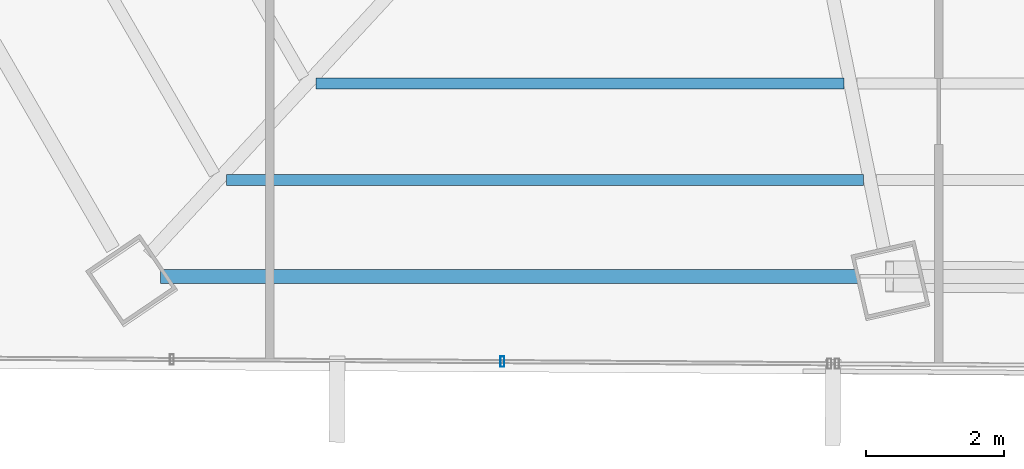
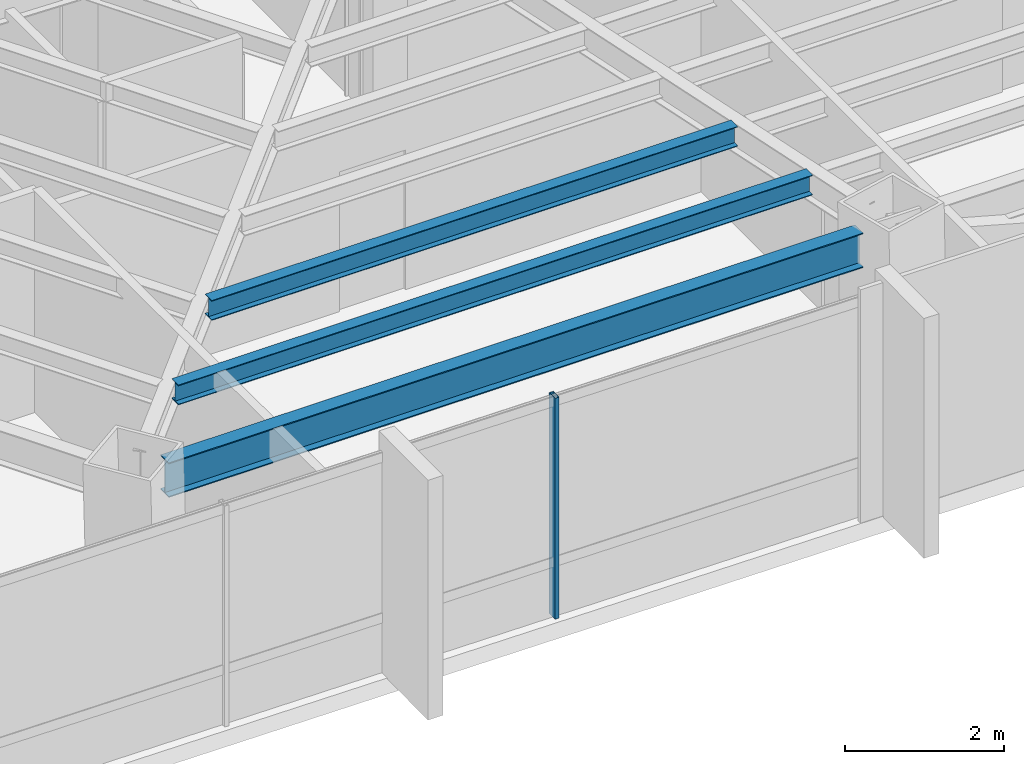
# One storey, part 4 of 41: 3 beams, 1 member, 1 element without a shape of its own.
"""IFC4 building model written with IfcOpenShell, lengths in metres."""

from ifc_helpers import new_model, si_unit, direction, frame, origin, origin_2d, place, context, subcontext, project, spatial, hollow_rectangle, i_section, extrude, source, transform, mapped, material, material_profile, profile_set, type_object, type_shapes, element, aggregate, save


model = new_model("IFC4")

# Units and contexts
model_context = context("Model", 3, precision=1e-05, world=origin(), true_north=direction((0.0, 1.0)))
body_context = subcontext(model_context, "Body", "Model", "MODEL_VIEW")
ifc_project = project(units=[si_unit("LENGTHUNIT", "METRE"), si_unit("AREAUNIT", "SQUARE_METRE"), si_unit("VOLUMEUNIT", "CUBIC_METRE"), si_unit("PLANEANGLEUNIT", "RADIAN"), si_unit("MASSUNIT", "GRAM", prefix="KILO")], contexts=[model_context])

# Site, building, storey
site_placement = place(None, origin())
site = spatial("IfcSite", under=ifc_project, at=site_placement, CompositionType="ELEMENT")
building_placement = place(site_placement, origin())
building = spatial("IfcBuilding", under=site, at=building_placement, Name="Caelisora Broadcast Tower", CompositionType="ELEMENT")
storey_placement = place(building_placement, frame((0.0, 0.0, 165.800048828125)))
storey = spatial("IfcBuildingStorey", under=building, at=storey_placement, Name="L43", CompositionType="ELEMENT", Elevation=165.800048828125)

# Beams
ifc_material_1 = material(Name="Steel Grade 350 (AS/NZS 3679.1)", Category="steel")
ifc_material_profile_1 = material_profile(ifc_material_1, i_section(OverallWidth=0.208984375, OverallDepth=0.532958984375, WebThickness=0.01025390625, FlangeThickness=0.015625, at=origin_2d()), Name="Steel Grade 350 (AS/NZS 3679.1)")
ifc_profile_set_1 = profile_set([ifc_material_profile_1], Name="Steel Grade 350 (AS/NZS 3679.1)")
beam_type_1 = type_object("IfcBeamType", Name="PG05", PredefinedType="BEAM", material=ifc_profile_set_1)
shared_shape_1 = source(origin(), body_context, "Body", "SweptSolid", [
    extrude(i_section(OverallWidth=0.208984375, OverallDepth=0.532958984375, WebThickness=0.01025390625, FlangeThickness=0.015625, at=origin_2d()), origin(), (0.0, 0.0, 1.0), 10.1083984375),
])
type_shapes(beam_type_1, [shared_shape_1])
beam_1_placement = place(storey_placement, frame((21.917236328125, 7.609619140625, 3.133544921875), z_axis=(1.0, 0.0, 0.0), x_axis=(0.0, 1.0, 0.0)))
element("IfcBeam", 1, at=beam_1_placement, inside=storey, type_object=beam_type_1, Name="L43 beam PG05", PredefinedType="BEAM", context=body_context, shape_type="MappedRepresentation", body=[
    mapped(shared_shape_1, transform((0.0, 0.0, 0.0), scale=1.0)),
])
ifc_material_profile_2 = material_profile(ifc_material_1, i_section(OverallWidth=0.166015625, OverallDepth=0.30712890625, WebThickness=0.006591796875, FlangeThickness=0.01171875, at=origin_2d()), Name="Steel Grade 350 (AS/NZS 3679.1)")
ifc_profile_set_2 = profile_set([ifc_material_profile_2], Name="Steel Grade 350 (AS/NZS 3679.1)")
beam_type_2 = type_object("IfcBeamType", Name="SB03", PredefinedType="JOIST", material=ifc_profile_set_2)
shared_shape_2 = source(origin(), body_context, "Body", "SweptSolid", [
    extrude(i_section(OverallWidth=0.166015625, OverallDepth=0.30712890625, WebThickness=0.006591796875, FlangeThickness=0.01171875, at=origin_2d()), origin(), (0.0, 0.0, 1.0), 7.656005859375),
])
beam_2_placement = place(storey_placement, frame((24.16796875, 10.406982421875, 3.246337890625), z_axis=(1.0, 0.0, 0.0), x_axis=(0.0, 1.0, 0.0)))
element("IfcBeam", 2, at=beam_2_placement, inside=storey, type_object=beam_type_2, Name="L43 beam SB03", PredefinedType="JOIST", context=body_context, shape_type="MappedRepresentation", body=[
    mapped(shared_shape_2, transform((0.0, 0.0, 0.0), scale=1.0)),
])
shared_shape_3 = source(origin(), body_context, "Body", "SweptSolid", [
    extrude(i_section(OverallWidth=0.166015625, OverallDepth=0.30712890625, WebThickness=0.006591796875, FlangeThickness=0.01171875, at=origin_2d()), origin(), (0.0, 0.0, 1.0), 9.231689453125),
])
type_shapes(beam_type_2, [shared_shape_2, shared_shape_3])
beam_3_placement = place(storey_placement, frame((22.8759765625, 9.00830078125, 3.246337890625), z_axis=(1.0, 0.0, 0.0), x_axis=(0.0, 1.0, 0.0)))
element("IfcBeam", 3, at=beam_3_placement, inside=storey, type_object=beam_type_2, Name="L43 beam SB03", PredefinedType="JOIST", context=body_context, shape_type="MappedRepresentation", body=[
    mapped(shared_shape_3, transform((0.0, 0.0, 0.0), scale=1.0)),
])

# Curtain wall, member
ifc_material_2 = material(Name="Unitised Aluminium and Low-E Glass Curtain Wall", Category="glass")
curtain_wall_type = type_object("IfcCurtainWallType", Name="CW-Z3", PredefinedType="NOTDEFINED", material=ifc_material_2)
curtain_wall_placement = place(storey_placement, origin())
curtain_wall = element("IfcCurtainWall", 4, at=curtain_wall_placement, inside=storey, type_object=curtain_wall_type, Name="L43 curtain wall CW-Z3", PredefinedType="NOTDEFINED")
ifc_material_3 = material(Name="Aluminium 6063-T6 Anodised Terracotta Bronze", Category="aluminium")
ifc_material_profile_3 = material_profile(ifc_material_3, hollow_rectangle(XDim=0.06005859375, YDim=0.14990234375, WallThickness=0.00341796875, at=origin_2d()), Name="Aluminium 6063-T6 Anodised Terracotta Bronze")
ifc_profile_set_3 = profile_set([ifc_material_profile_3], Name="Aluminium 6063-T6 Anodised Terracotta Bronze")
member_type = type_object("IfcMemberType", Name="CWM-03", PredefinedType="MULLION", material=ifc_profile_set_3)
shared_shape_4 = source(origin(), body_context, "Body", "SweptSolid", [
    extrude(hollow_rectangle(XDim=0.06005859375, YDim=0.14990234375, WallThickness=0.00341796875, at=origin_2d()), origin(), (0.0, 0.0, 1.0), 3.39990234375),
])
type_shapes(member_type, [shared_shape_4])
member_placement = place(storey_placement, frame((26.872802734375, 6.375, 0.0), z_axis=(0.0, 0.0, 1.0), x_axis=(1.0, 0.0, 0.0)))
member = element("IfcMember", 5, at=member_placement, type_object=member_type, Name="L43-CW-B07 mullion #1", PredefinedType="MULLION", context=body_context, shape_type="MappedRepresentation", body=[
    mapped(shared_shape_4, transform((0.0, 0.0, 0.0), scale=1.0)),
])
aggregate(curtain_wall, [member])

save(model, "model.ifc")
